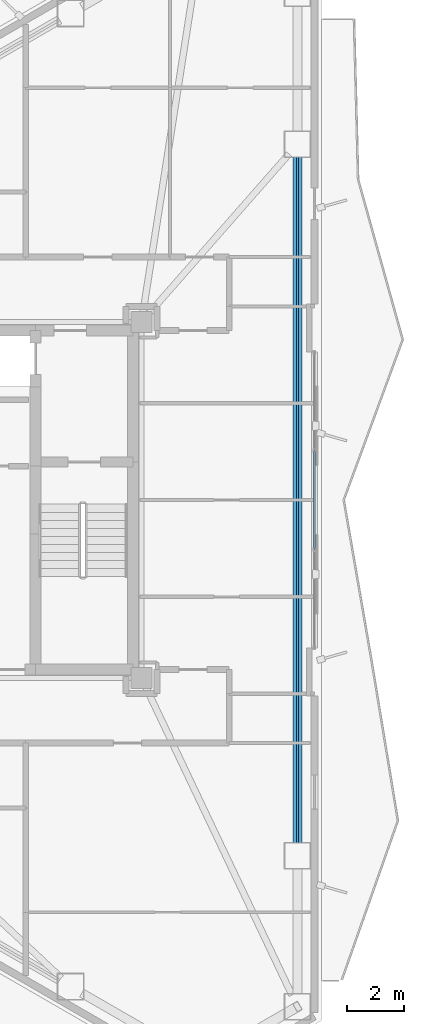
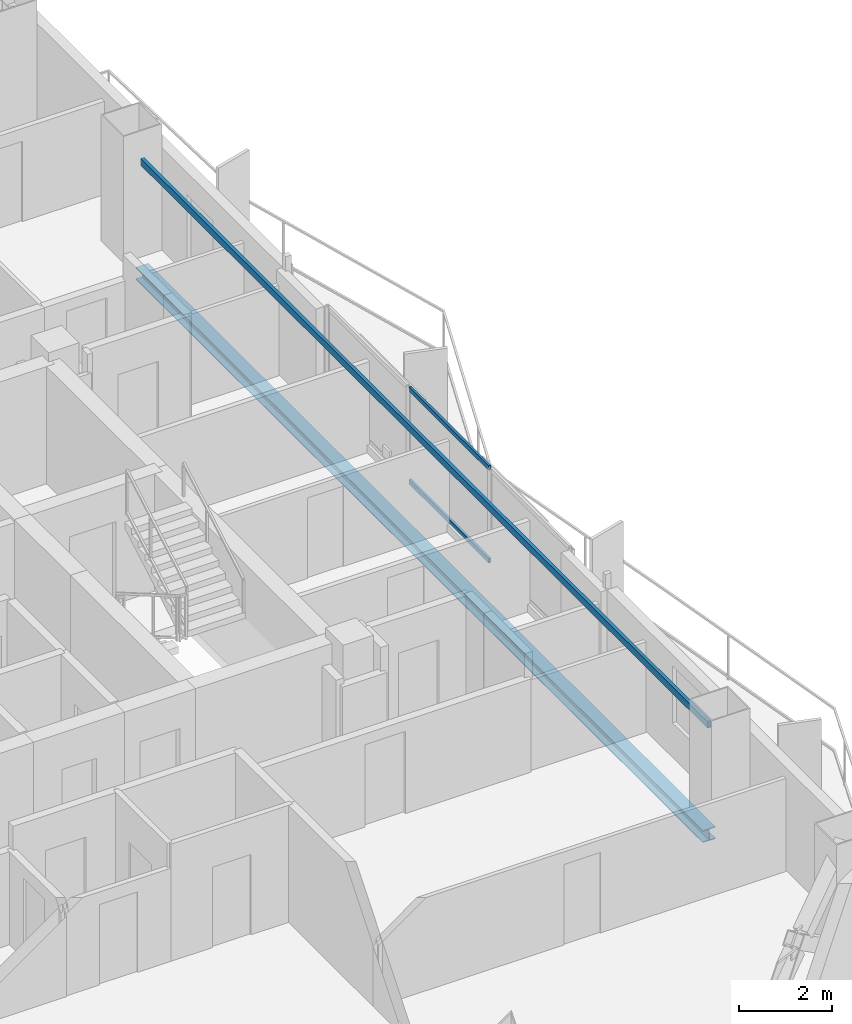
# One storey, part 8 of 18: 2 beams, 2 members, 1 element without a shape of its own.
"""IFC4 building model written with IfcOpenShell, lengths in metres."""

from ifc_helpers import new_model, si_unit, direction, frame, origin, origin_2d, place, context, subcontext, project, spatial, hollow_rectangle, i_section, extrude, material, layer, layer_set, material_profile, profile_set, type_object, element, aggregate, save


model = new_model("IFC4")

# Units and contexts
model_context = context("Model", 3, precision=1e-05, world=origin(), true_north=direction((0.0, 1.0)))
body_context = subcontext(model_context, "Body", "Model", "MODEL_VIEW")
ifc_project = project(units=[si_unit("LENGTHUNIT", "METRE"), si_unit("AREAUNIT", "SQUARE_METRE"), si_unit("VOLUMEUNIT", "CUBIC_METRE"), si_unit("PLANEANGLEUNIT", "RADIAN"), si_unit("MASSUNIT", "GRAM", prefix="KILO")], contexts=[model_context])

# Site, building, storey
site_placement = place(None, origin())
site = spatial("IfcSite", under=ifc_project, at=site_placement, CompositionType="ELEMENT")
building_placement = place(site_placement, origin())
building = spatial("IfcBuilding", under=site, at=building_placement, Name="Mersakhor Tower and Convention Hall", CompositionType="ELEMENT")
storey_placement = place(building_placement, frame((0.0, 0.0, 150.89990234375)))
storey = spatial("IfcBuildingStorey", under=building, at=storey_placement, Name="L42", CompositionType="ELEMENT", Elevation=150.89990234375)

# Beams
ifc_material_1 = material(Name="Steel S355", Category="steel")
ifc_material_profile_1 = material_profile(ifc_material_1, hollow_rectangle(XDim=0.080078125, YDim=0.179931640625, WallThickness=0.008056640625, at=origin_2d()), Name="RHS 180x80x8")
ifc_profile_set_1 = profile_set([ifc_material_profile_1], Name="Steel S355")
beam_type_1 = type_object("IfcBeamType", Name="BM-GRT-RHS180", PredefinedType="USERDEFINED", material=ifc_profile_set_1)
beam_1_placement = place(storey_placement, frame((41.619140625, 38.8837890625, 2.47998046875), z_axis=(0.0, -1.0, 0.0), x_axis=(1.0, 0.0, 0.0)))
element("IfcBeam", 1, at=beam_1_placement, inside=storey, type_object=beam_type_1, Name="L42 Facade Support Girt GRT-F2", ObjectType="GIRT", PredefinedType="USERDEFINED", context=body_context, shape_type="SweptSolid", body=[
    extrude(hollow_rectangle(XDim=0.080078125, YDim=0.179931640625, WallThickness=0.008056640625, at=origin_2d()), origin(), (0.0, 0.0, 1.0), 24.267578125),
])
ifc_material_2 = material(Name="Steel S355", Category="steel")
ifc_material_profile_2 = material_profile(ifc_material_2, i_section(OverallWidth=0.30908203125, OverallDepth=0.320556640625, WebThickness=0.013916015625, FlangeThickness=0.021728515625, at=origin_2d()), Name="UC 305x305x137")
ifc_profile_set_2 = profile_set([ifc_material_profile_2], Name="Steel S355")
beam_type_2 = type_object("IfcBeamType", Name="BM-SPD-UC305", PredefinedType="SPANDREL", material=ifc_profile_set_2)
beam_2_placement = place(storey_placement, frame((41.619140625, 38.8837890625, -0.400146484375), z_axis=(0.0, -1.0, 0.0), x_axis=(1.0, 0.0, 0.0)))
element("IfcBeam", 2, at=beam_2_placement, inside=storey, type_object=beam_type_2, Name="L42 Perimeter Spandrel Beam SPB-06", PredefinedType="SPANDREL", context=body_context, shape_type="SweptSolid", body=[
    extrude(i_section(OverallWidth=0.30908203125, OverallDepth=0.320556640625, WebThickness=0.013916015625, FlangeThickness=0.021728515625, at=origin_2d()), origin(), (0.0, 0.0, 1.0), 24.267578125),
])

# Curtain wall, members
ifc_material_3 = material(Name="Dark solar low-E aluminium curtain wall", Category="aluminium")
ifc_layer = layer(ifc_material_3, 0.169921875)
ifc_layer_set = layer_set([ifc_layer], Name="Dark solar low-E aluminium curtain wall")
curtain_wall_type = type_object("IfcCurtainWallType", Name="CW-SYS-02", PredefinedType="USERDEFINED", material=ifc_layer_set)
curtain_wall_placement = place(storey_placement, origin())
curtain_wall = element("IfcCurtainWall", 3, at=curtain_wall_placement, inside=storey, type_object=curtain_wall_type, Name="L42 Dark-Glass Curtain Wall F2-B2", ObjectType="CURTAIN WALL", PredefinedType="USERDEFINED")
ifc_material_4 = material(Name="Anodised aluminium EN AW-6063 T6", Category="aluminium")
ifc_material_profile_3 = material_profile(ifc_material_4, hollow_rectangle(XDim=0.06005859375, YDim=0.1201171875, WallThickness=0.0048828125, at=origin_2d()), Name="RHS 120x60x5")
ifc_profile_set_3 = profile_set([ifc_material_profile_3], Name="Anodised aluminium EN AW-6063 T6")
member_type = type_object("IfcMemberType", Name="CWT-120x60", PredefinedType="USERDEFINED", material=ifc_profile_set_3)
member_1_placement = place(storey_placement, frame((42.21923828125, 28.460205078125, 0.22998046875), z_axis=(0.0, -1.0, 0.0), x_axis=(1.0, 0.0, 0.0)))
member_1 = element("IfcMember", 4, at=member_1_placement, type_object=member_type, Name="CW-02 transom 2.1", ObjectType="TRANSOM", PredefinedType="USERDEFINED", context=body_context, shape_type="SweptSolid", body=[
    extrude(hollow_rectangle(XDim=0.06005859375, YDim=0.1201171875, WallThickness=0.0048828125, at=origin_2d()), origin(), (0.0, 0.0, 1.0), 3.42041015625),
])
member_2_placement = place(storey_placement, frame((42.21923828125, 28.460205078125, 2.650146484375), z_axis=(0.0, -1.0, 0.0), x_axis=(1.0, 0.0, 0.0)))
member_2 = element("IfcMember", 5, at=member_2_placement, type_object=member_type, Name="CW-02 transom 2.2", ObjectType="TRANSOM", PredefinedType="USERDEFINED", context=body_context, shape_type="SweptSolid", body=[
    extrude(hollow_rectangle(XDim=0.06005859375, YDim=0.1201171875, WallThickness=0.0048828125, at=origin_2d()), origin(), (0.0, 0.0, 1.0), 3.42041015625),
])
aggregate(curtain_wall, [member_1, member_2])

save(model, "model.ifc")
